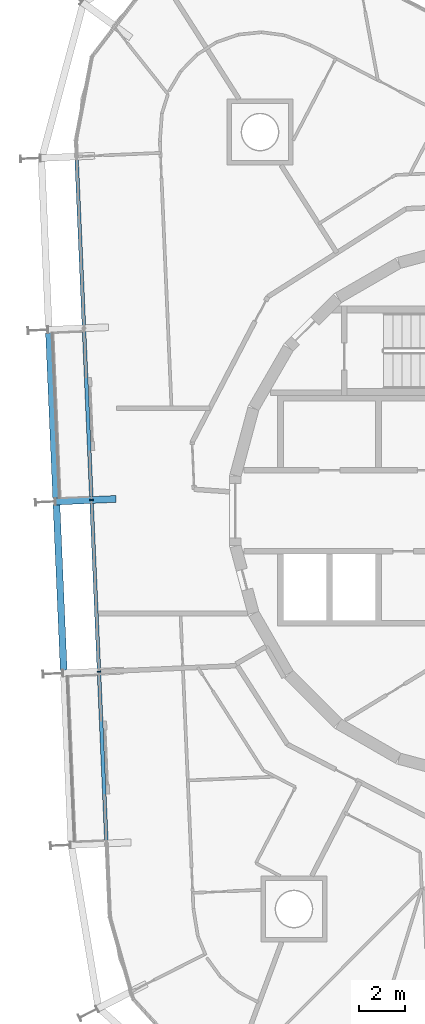
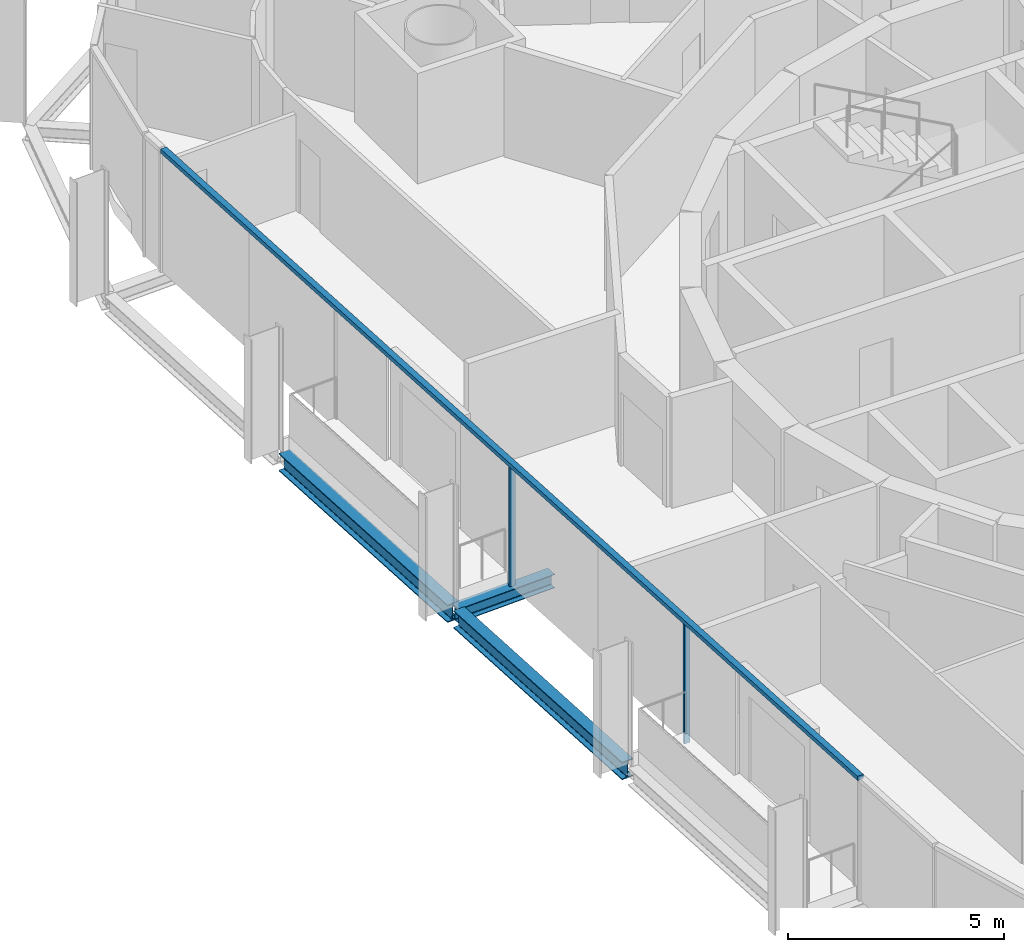
# One storey, part 4 of 17: 3 beams, 3 members, 1 element without a shape of its own.
"""IFC4 building model written with IfcOpenShell, lengths in metres."""

from ifc_helpers import new_model, si_unit, direction, frame, origin, origin_2d, place, context, subcontext, project, spatial, rectangle, i_section, extrude, material, layer, layer_set, material_profile, profile_set, type_object, element, aggregate, save


model = new_model("IFC4")

# Units and contexts
model_context = context("Model", 3, precision=1e-05, world=origin(), true_north=direction((0.0, 1.0)))
body_context = subcontext(model_context, "Body", "Model", "MODEL_VIEW")
ifc_project = project(units=[si_unit("LENGTHUNIT", "METRE"), si_unit("AREAUNIT", "SQUARE_METRE"), si_unit("VOLUMEUNIT", "CUBIC_METRE"), si_unit("PLANEANGLEUNIT", "RADIAN"), si_unit("MASSUNIT", "GRAM", prefix="KILO")], contexts=[model_context])

# Site, building, storey
site_placement = place(None, origin())
site = spatial("IfcSite", under=ifc_project, at=site_placement, CompositionType="ELEMENT")
building_placement = place(site_placement, origin())
building = spatial("IfcBuilding", under=site, at=building_placement, Name="Spindle Arch Residences", CompositionType="ELEMENT")
storey_placement = place(building_placement, frame((0.0, 0.0, 244.199951171875)))
storey = spatial("IfcBuildingStorey", under=building, at=storey_placement, Name="L62", CompositionType="ELEMENT", Elevation=244.199951171875)

# Curtain wall, members
ifc_material_1 = material(Name="Aluminium bronze unitised frame with tinted glass", Category="aluminium")
ifc_layer = layer(ifc_material_1, 0.159912109375)
ifc_layer_set = layer_set([ifc_layer], Name="CW-C typical residential unitised wall")
curtain_wall_type = type_object("IfcCurtainWallType", Name="CW-C typical residential unitised wall", PredefinedType="NOTDEFINED", material=ifc_layer_set)
curtain_wall_placement = place(storey_placement, origin())
curtain_wall = element("IfcCurtainWall", 1, at=curtain_wall_placement, inside=storey, type_object=curtain_wall_type, Name="CW-C L62 run 4", PredefinedType="NOTDEFINED")
ifc_material_2 = material(Name="Aluminium bronze anodised mullion", Category="aluminium")
ifc_material_profile_1 = material_profile(ifc_material_2, rectangle(XDim=0.159912109375, YDim=0.06005859375, at=origin_2d()), Name="MU 60x160")
ifc_profile_set_1 = profile_set([ifc_material_profile_1], Name="Aluminium bronze anodised mullion")
member_type_1 = type_object("IfcMemberType", Name="Bronze mullion 60x160", PredefinedType="MULLION", material=ifc_profile_set_1)
member_1_placement = place(storey_placement, frame((-17.9521484375, 0.472412109375, -0.3798828125), z_axis=(0.0, 0.0, 1.0), x_axis=(0.999048221582, 0.043619387365, 0.0)))
member_1 = element("IfcMember", 2, at=member_1_placement, type_object=member_type_1, Name="CW-C mullion 14", PredefinedType="MULLION", context=body_context, shape_type="SweptSolid", body=[
    extrude(rectangle(XDim=0.159912109375, YDim=0.06005859375, at=origin_2d()), origin(), (0.0, 0.0, 1.0), 3.3798828125),
])
member_2_placement = place(storey_placement, frame((-17.62353515625, -7.050537109375, -0.3798828125), z_axis=(0.0, 0.0, 1.0), x_axis=(0.999048221582, 0.043619387365, 0.0)))
member_2 = element("IfcMember", 3, at=member_2_placement, type_object=member_type_1, Name="CW-C mullion 15", PredefinedType="MULLION", context=body_context, shape_type="SweptSolid", body=[
    extrude(rectangle(XDim=0.159912109375, YDim=0.06005859375, at=origin_2d()), origin(), (0.0, 0.0, 1.0), 3.3798828125),
])
ifc_material_3 = material(Name="Aluminium bronze anodised transom", Category="aluminium")
ifc_material_profile_2 = material_profile(ifc_material_3, rectangle(XDim=0.159912109375, YDim=0.1201171875, at=origin_2d()), Name="TR 120x160")
ifc_profile_set_2 = profile_set([ifc_material_profile_2], Name="Aluminium bronze anodised transom")
member_type_2 = type_object("IfcMemberType", Name="Bronze transom 120x160", PredefinedType="USERDEFINED", material=ifc_profile_set_2)
member_3_placement = place(storey_placement, frame((-18.607666015625, 15.48828125, 3.06005859375), z_axis=(0.043621555075, -0.999048126935, 0.0), x_axis=(0.999048126935, 0.043621555075, 0.0)))
member_3 = element("IfcMember", 4, at=member_3_placement, type_object=member_type_2, Name="CW-C transom 00", ObjectType="TRANSOM", PredefinedType="USERDEFINED", context=body_context, shape_type="SweptSolid", body=[
    extrude(rectangle(XDim=0.159912109375, YDim=0.1201171875, at=origin_2d()), origin(), (0.0, 0.0, 1.0), 30.060302734375),
])
aggregate(curtain_wall, [member_3, member_1, member_2])

# Beams
ifc_material_4 = material(Name="Steel S460ML, intumescent coating R 120", Category="steel")
ifc_material_profile_3 = material_profile(ifc_material_4, i_section(OverallWidth=0.300048828125, OverallDepth=0.5, WebThickness=0.014404296875, FlangeThickness=0.028076171875, FilletRadius=0.027099609375, at=origin_2d()), Name="HEB 500")
ifc_profile_set_3 = profile_set([ifc_material_profile_3], Name="Steel S460ML, intumescent coating R 120")
beam_type_1 = type_object("IfcBeamType", Name="Exoskeleton edge beam HEB 500", PredefinedType="BEAM", material=ifc_profile_set_3)
for number, where, z_axis, x_axis, name in (
    (5, (-19.8134765625, 7.79833984375, -0.6298828125), (0.043655819138, -0.999046630271, 0.0), (0.999046630271, 0.043655819138, 0.0), "Exoskeleton edge beam 14"),
    (6, (-19.48486328125, 0.275390625, -0.6298828125), (0.043622301665, -0.999048094337, 0.0), (0.999048094337, 0.043622301665, 0.0), "Exoskeleton edge beam 15"),
):
    element("IfcBeam", number, at=place(storey_placement, frame(where, z_axis=z_axis, x_axis=x_axis)), inside=storey, type_object=beam_type_1, Name=name, PredefinedType="BEAM", context=body_context, shape_type="SweptSolid", body=[
        extrude(i_section(OverallWidth=0.300048828125, OverallDepth=0.5, WebThickness=0.014404296875, FlangeThickness=0.028076171875, FilletRadius=0.027099609375, at=origin_2d()), origin(), (0.0, 0.0, 1.0), 7.27001953125),
    ])
ifc_material_5 = material(Name="Steel S460ML, intumescent coating R 120", Category="steel")
ifc_material_profile_4 = material_profile(ifc_material_5, i_section(OverallWidth=0.300048828125, OverallDepth=0.389892578125, WebThickness=0.010986328125, FlangeThickness=0.01904296875, FilletRadius=0.027099609375, at=origin_2d()), Name="HEA 400")
ifc_profile_set_4 = profile_set([ifc_material_profile_4], Name="Steel S460ML, intumescent coating R 120")
beam_type_2 = type_object("IfcBeamType", Name="Floor outrigger HEA 400", PredefinedType="BEAM", material=ifc_profile_set_4)
beam_placement = place(storey_placement, frame((-19.5205078125, 0.40380859375, -0.574951171875), z_axis=(0.999046049411, 0.043669109869, 0.0), x_axis=(-0.043669109869, 0.999046049411, 0.0)))
element("IfcBeam", 7, at=beam_placement, inside=storey, type_object=beam_type_2, Name="Floor outrigger 15", PredefinedType="BEAM", context=body_context, shape_type="SweptSolid", body=[
    extrude(i_section(OverallWidth=0.300048828125, OverallDepth=0.389892578125, WebThickness=0.010986328125, FlangeThickness=0.01904296875, FilletRadius=0.027099609375, at=origin_2d()), origin(), (0.0, 0.0, 1.0), 2.64990234375),
])

save(model, "model.ifc")
